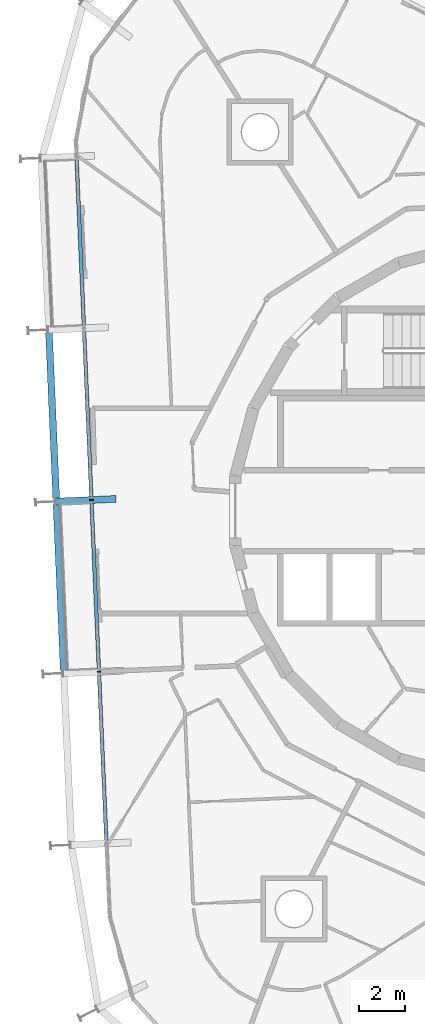
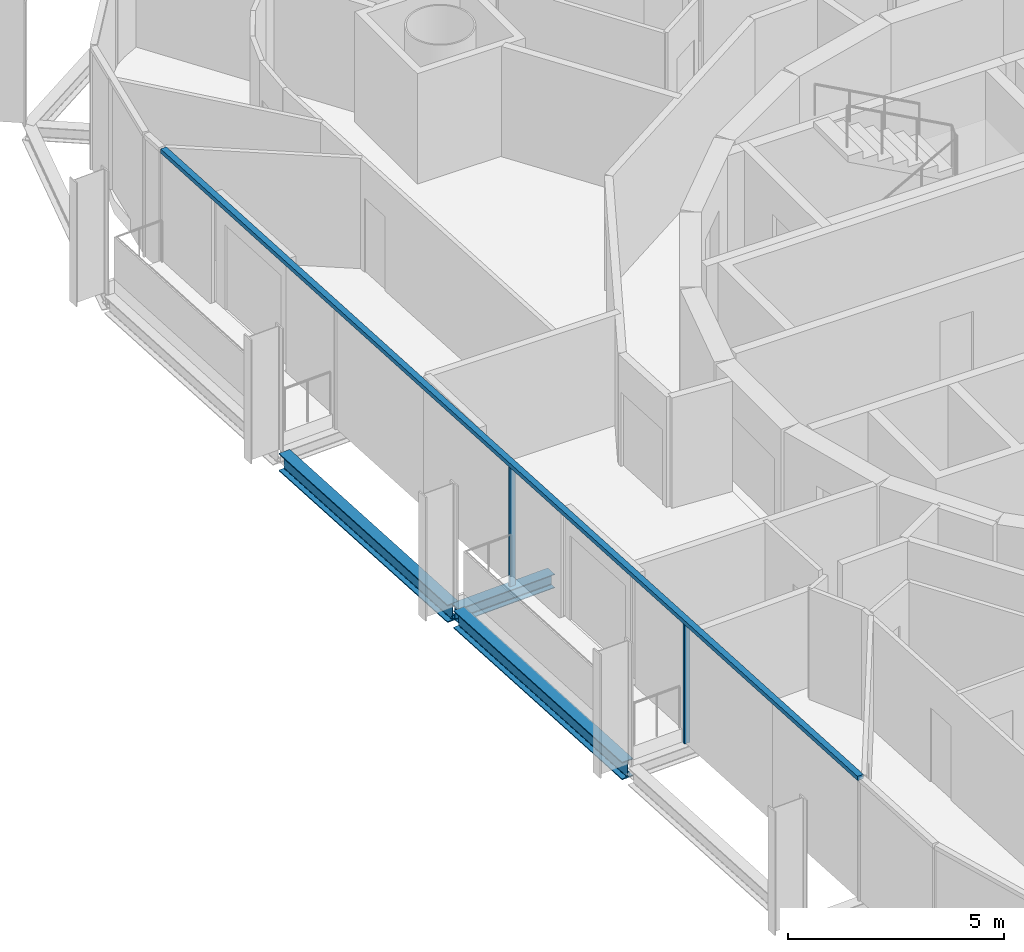
# One storey, part 4 of 18: 3 beams, 3 members, 1 element without a shape of its own.
"""IFC4 building model written with IfcOpenShell, lengths in metres."""

from ifc_helpers import new_model, si_unit, direction, frame, origin, origin_2d, place, context, subcontext, project, spatial, rectangle, i_section, extrude, material, layer, layer_set, material_profile, profile_set, type_object, element, aggregate, save


model = new_model("IFC4")

# Units and contexts
model_context = context("Model", 3, precision=1e-05, world=origin(), true_north=direction((0.0, 1.0)))
body_context = subcontext(model_context, "Body", "Model", "MODEL_VIEW")
ifc_project = project(units=[si_unit("LENGTHUNIT", "METRE"), si_unit("AREAUNIT", "SQUARE_METRE"), si_unit("VOLUMEUNIT", "CUBIC_METRE"), si_unit("PLANEANGLEUNIT", "RADIAN"), si_unit("MASSUNIT", "GRAM", prefix="KILO")], contexts=[model_context])

# Site, building, storey
site_placement = place(None, origin())
site = spatial("IfcSite", under=ifc_project, at=site_placement, CompositionType="ELEMENT")
building_placement = place(site_placement, origin())
building = spatial("IfcBuilding", under=site, at=building_placement, Name="Spindle Arch Residences", CompositionType="ELEMENT")
storey_placement = place(building_placement, frame((0.0, 0.0, 247.699951171875)))
storey = spatial("IfcBuildingStorey", under=building, at=storey_placement, Name="L63", CompositionType="ELEMENT", Elevation=247.699951171875)

# Curtain wall, members
ifc_material_1 = material(Name="Aluminium bronze unitised frame with tinted glass", Category="aluminium")
ifc_layer = layer(ifc_material_1, 0.159912109375)
ifc_layer_set = layer_set([ifc_layer], Name="CW-C typical residential unitised wall")
curtain_wall_type = type_object("IfcCurtainWallType", Name="CW-C typical residential unitised wall", PredefinedType="NOTDEFINED", material=ifc_layer_set)
curtain_wall_placement = place(storey_placement, origin())
curtain_wall = element("IfcCurtainWall", 1, at=curtain_wall_placement, inside=storey, type_object=curtain_wall_type, Name="CW-C L63 run 4", PredefinedType="NOTDEFINED")
ifc_material_2 = material(Name="Aluminium bronze anodised mullion", Category="aluminium")
ifc_material_profile_1 = material_profile(ifc_material_2, rectangle(XDim=0.159912109375, YDim=0.06005859375, at=origin_2d()), Name="MU 60x160")
ifc_profile_set_1 = profile_set([ifc_material_profile_1], Name="Aluminium bronze anodised mullion")
member_type_1 = type_object("IfcMemberType", Name="Bronze mullion 60x160", PredefinedType="MULLION", material=ifc_profile_set_1)
member_1_placement = place(storey_placement, frame((-17.9521484375, 0.472412109375, -0.3798828125), z_axis=(0.0, 0.0, 1.0), x_axis=(0.999048221582, 0.043619387365, 0.0)))
member_1 = element("IfcMember", 2, at=member_1_placement, type_object=member_type_1, Name="CW-C mullion 14", PredefinedType="MULLION", context=body_context, shape_type="SweptSolid", body=[
    extrude(rectangle(XDim=0.159912109375, YDim=0.06005859375, at=origin_2d()), origin(), (0.0, 0.0, 1.0), 3.3798828125),
])
member_2_placement = place(storey_placement, frame((-17.62353515625, -7.050537109375, -0.3798828125), z_axis=(0.0, 0.0, 1.0), x_axis=(0.999048221582, 0.043619387365, 0.0)))
member_2 = element("IfcMember", 3, at=member_2_placement, type_object=member_type_1, Name="CW-C mullion 15", PredefinedType="MULLION", context=body_context, shape_type="SweptSolid", body=[
    extrude(rectangle(XDim=0.159912109375, YDim=0.06005859375, at=origin_2d()), origin(), (0.0, 0.0, 1.0), 3.3798828125),
])
ifc_material_3 = material(Name="Aluminium bronze anodised transom", Category="aluminium")
ifc_material_profile_2 = material_profile(ifc_material_3, rectangle(XDim=0.159912109375, YDim=0.1201171875, at=origin_2d()), Name="TR 120x160")
ifc_profile_set_2 = profile_set([ifc_material_profile_2], Name="Aluminium bronze anodised transom")
member_type_2 = type_object("IfcMemberType", Name="Bronze transom 120x160", PredefinedType="USERDEFINED", material=ifc_profile_set_2)
member_3_placement = place(storey_placement, frame((-18.607666015625, 15.48828125, 3.06005859375), z_axis=(0.043621555075, -0.999048126935, 0.0), x_axis=(0.999048126935, 0.043621555075, 0.0)))
member_3 = element("IfcMember", 4, at=member_3_placement, type_object=member_type_2, Name="CW-C transom 00", ObjectType="TRANSOM", PredefinedType="USERDEFINED", context=body_context, shape_type="SweptSolid", body=[
    extrude(rectangle(XDim=0.159912109375, YDim=0.1201171875, at=origin_2d()), origin(), (0.0, 0.0, 1.0), 30.060302734375),
])
aggregate(curtain_wall, [member_3, member_1, member_2])

# Beams
ifc_material_4 = material(Name="Steel S460ML, intumescent coating R 120", Category="steel")
ifc_material_profile_3 = material_profile(ifc_material_4, i_section(OverallWidth=0.300048828125, OverallDepth=0.5, WebThickness=0.014404296875, FlangeThickness=0.028076171875, FilletRadius=0.027099609375, at=origin_2d()), Name="HEB 500")
ifc_profile_set_3 = profile_set([ifc_material_profile_3], Name="Steel S460ML, intumescent coating R 120")
beam_type_1 = type_object("IfcBeamType", Name="Exoskeleton edge beam HEB 500", PredefinedType="BEAM", material=ifc_profile_set_3)
for number, where, z_axis, x_axis, name in (
    (5, (-19.8134765625, 7.79833984375, -0.6298828125), (0.043655819138, -0.999046630271, 0.0), (0.999046630271, 0.043655819138, 0.0), "Exoskeleton edge beam 14"),
    (6, (-19.48486328125, 0.275390625, -0.6298828125), (0.043622301665, -0.999048094337, 0.0), (0.999048094337, 0.043622301665, 0.0), "Exoskeleton edge beam 15"),
):
    element("IfcBeam", number, at=place(storey_placement, frame(where, z_axis=z_axis, x_axis=x_axis)), inside=storey, type_object=beam_type_1, Name=name, PredefinedType="BEAM", context=body_context, shape_type="SweptSolid", body=[
        extrude(i_section(OverallWidth=0.300048828125, OverallDepth=0.5, WebThickness=0.014404296875, FlangeThickness=0.028076171875, FilletRadius=0.027099609375, at=origin_2d()), origin(), (0.0, 0.0, 1.0), 7.27001953125),
    ])
ifc_material_5 = material(Name="Steel S460ML, intumescent coating R 120", Category="steel")
ifc_material_profile_4 = material_profile(ifc_material_5, i_section(OverallWidth=0.300048828125, OverallDepth=0.389892578125, WebThickness=0.010986328125, FlangeThickness=0.01904296875, FilletRadius=0.027099609375, at=origin_2d()), Name="HEA 400")
ifc_profile_set_4 = profile_set([ifc_material_profile_4], Name="Steel S460ML, intumescent coating R 120")
beam_type_2 = type_object("IfcBeamType", Name="Floor outrigger HEA 400", PredefinedType="BEAM", material=ifc_profile_set_4)
beam_placement = place(storey_placement, frame((-19.5205078125, 0.40380859375, -0.574951171875), z_axis=(0.999046049411, 0.043669109869, 0.0), x_axis=(-0.043669109869, 0.999046049411, 0.0)))
element("IfcBeam", 7, at=beam_placement, inside=storey, type_object=beam_type_2, Name="Floor outrigger 15", PredefinedType="BEAM", context=body_context, shape_type="SweptSolid", body=[
    extrude(i_section(OverallWidth=0.300048828125, OverallDepth=0.389892578125, WebThickness=0.010986328125, FlangeThickness=0.01904296875, FilletRadius=0.027099609375, at=origin_2d()), origin(), (0.0, 0.0, 1.0), 2.64990234375),
])

save(model, "model.ifc")
